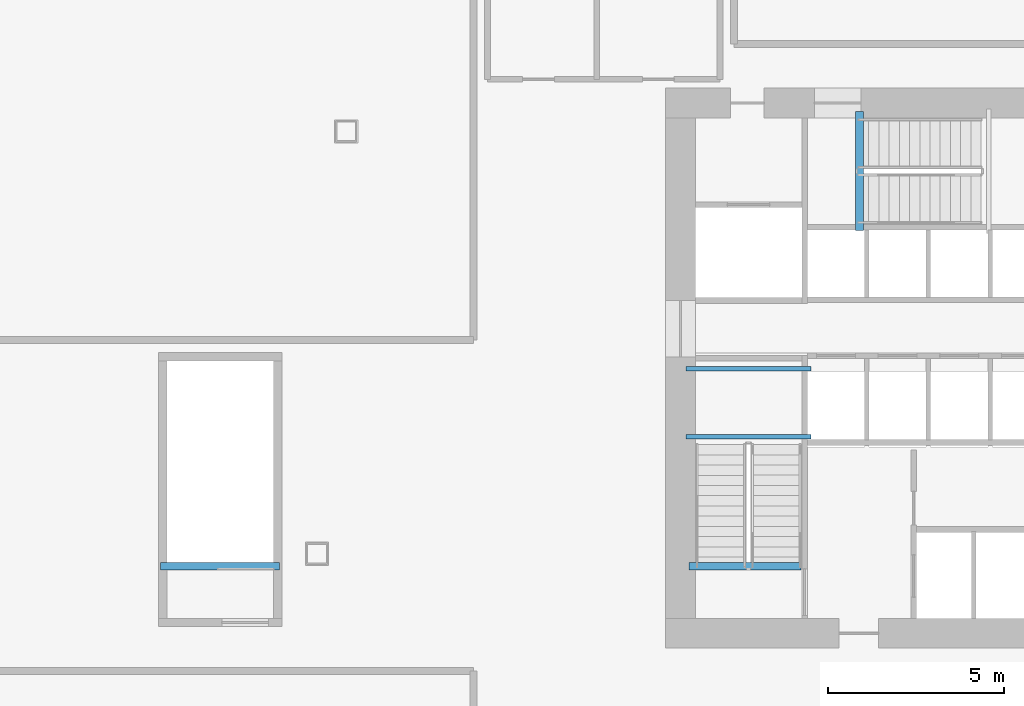
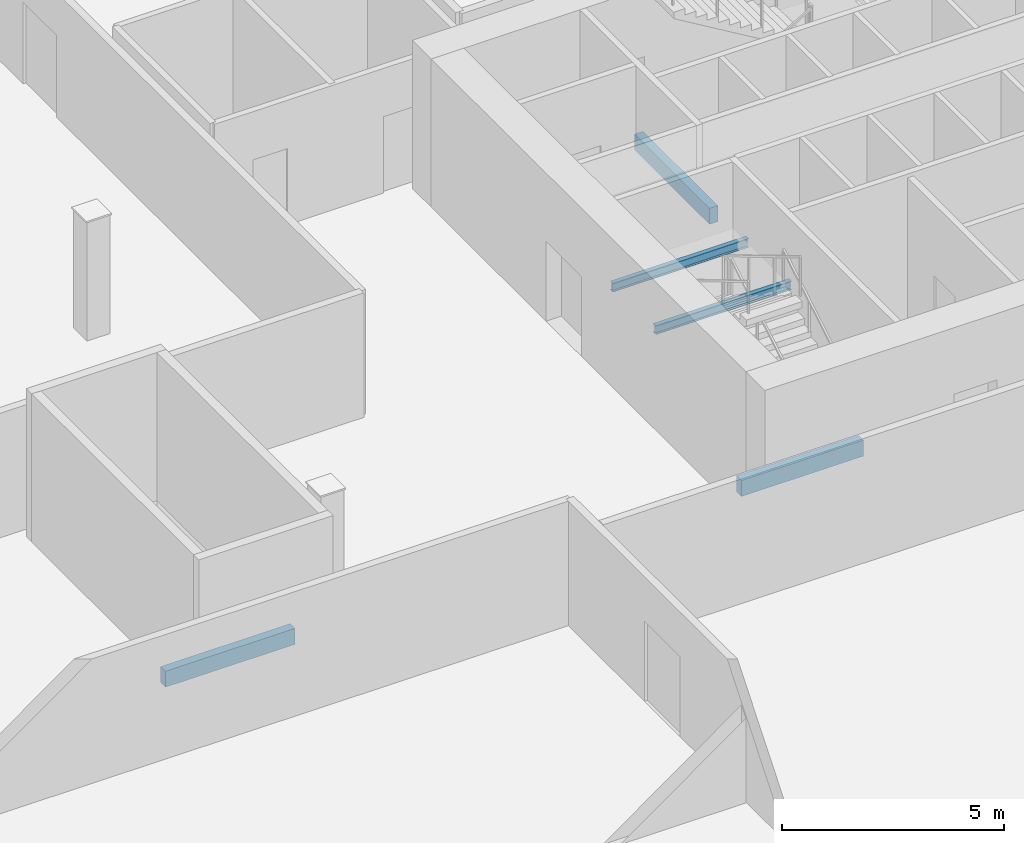
# One storey, part 3 of 16: 5 beams.
"""IFC4 building model written with IfcOpenShell, lengths in metres."""

from ifc_helpers import new_model, si_unit, direction, frame, origin, origin_2d, place, context, subcontext, project, spatial, rectangle, i_section, extrude, source, transform, mapped, material, material_profile, profile_set, type_object, element, save


model = new_model("IFC4")

# Units and contexts
model_context = context("Model", 3, precision=1e-05, world=origin(), true_north=direction((0.0, 1.0)))
body_context = subcontext(model_context, "Body", "Model", "MODEL_VIEW")
ifc_project = project(units=[si_unit("LENGTHUNIT", "METRE"), si_unit("AREAUNIT", "SQUARE_METRE"), si_unit("VOLUMEUNIT", "CUBIC_METRE"), si_unit("PLANEANGLEUNIT", "RADIAN"), si_unit("MASSUNIT", "GRAM", prefix="KILO")], contexts=[model_context])

# Site, building, storey
site_placement = place(None, origin())
site = spatial("IfcSite", under=ifc_project, at=site_placement, CompositionType="ELEMENT")
building_placement = place(site_placement, origin())
building = spatial("IfcBuilding", under=site, at=building_placement, Name="Olszyna Solenne Hotel", CompositionType="ELEMENT")
storey_placement = place(building_placement, frame((0.0, 0.0, 20.10009765625)))
storey = spatial("IfcBuildingStorey", under=building, at=storey_placement, Name="L04", CompositionType="ELEMENT", Elevation=20.10009765625)

# Beams
ifc_material_1 = material(Name="Steel S355J2", Category="steel")
ifc_material_profile_1 = material_profile(ifc_material_1, i_section(OverallWidth=0.1201171875, OverallDepth=0.239990234375, WebThickness=0.006103515625, FlangeThickness=0.009765625, at=origin_2d()), Name="IPE 240", Category="load-bearing")
ifc_profile_set_1 = profile_set([ifc_material_profile_1], Name="Steel S355J2")
beam_type_1 = type_object("IfcBeamType", Name="JS-03", PredefinedType="JOIST", material=ifc_profile_set_1)
shared_shape_1 = source(origin(), body_context, "Body", "SweptSolid", [
    extrude(i_section(OverallWidth=0.1201171875, OverallDepth=0.239990234375, WebThickness=0.006103515625, FlangeThickness=0.009765625, at=origin_2d()), origin(), (0.0, 0.0, 1.0), 3.539794921875),
])
for number, where, z_axis, x_axis, name in (
    (1, (33.3798828125, 24.64990234375, 1.9248046875), (-1.0, 0.0, 0.0), (0.0, -1.0, 0.0), "Stair landing support beam JS-03 SLB-ST1-0013"),
    (2, (33.3798828125, 26.580078125, 1.9248046875), (-1.0, 0.0, 0.0), (0.0, -1.0, 0.0), "Stair landing support beam JS-03 SLB-ST1-0014"),
):
    element("IfcBeam", number, at=place(storey_placement, frame(where, z_axis=z_axis, x_axis=x_axis)), inside=storey, type_object=beam_type_1, Name=name, PredefinedType="JOIST", context=body_context, shape_type="MappedRepresentation", body=[
        mapped(shared_shape_1, transform((0.0, 0.0, 0.0), x_axis=(1.0, 0.0, 0.0), y_axis=(0.0, 1.0, 0.0), z_axis=(0.0, 0.0, 1.0), scale=1.0)),
    ])
ifc_material_2 = material(Name="Concrete C50/60", Category="concrete")
ifc_material_profile_2 = material_profile(ifc_material_2, rectangle(XDim=0.219970703125, YDim=0.43994140625, at=origin_2d()), Name="RC 220x440", Category="load-bearing")
ifc_profile_set_2 = profile_set([ifc_material_profile_2], Name="Concrete C50/60")
beam_type_2 = type_object("IfcBeamType", Name="BM-ST1", PredefinedType="BEAM", material=ifc_profile_set_2)
shared_shape_2 = source(origin(), body_context, "Body", "SweptSolid", [
    extrude(rectangle(XDim=0.219970703125, YDim=0.43994140625, at=origin_2d()), origin(), (0.0, 0.0, 1.0), 3.18017578125),
])
beam_1_placement = place(storey_placement, frame((33.10009765625, 20.97998046875, -0.205078125), z_axis=(-1.0, 0.0, 0.0), x_axis=(0.0, -1.0, 0.0)))
element("IfcBeam", 3, at=beam_1_placement, inside=storey, type_object=beam_type_2, Name="Concrete stair trimmer beam BM-ST1 SHB-ST1-0166", PredefinedType="BEAM", context=body_context, shape_type="MappedRepresentation", body=[
    mapped(shared_shape_2, transform((0.0, 0.0, 0.0), x_axis=(1.0, 0.0, 0.0), y_axis=(0.0, 1.0, 0.0), z_axis=(0.0, 0.0, 1.0), scale=1.0)),
])
shared_shape_3 = source(origin(), body_context, "Body", "SweptSolid", [
    extrude(rectangle(XDim=0.219970703125, YDim=0.43994140625, at=origin_2d()), origin(), (0.0, 0.0, 1.0), 3.3798828125),
])
beam_2_placement = place(storey_placement, frame((34.760009765625, 30.5, -0.205078125), z_axis=(0.0, 1.0, 0.0), x_axis=(-1.0, 0.0, 0.0)))
element("IfcBeam", 4, at=beam_2_placement, inside=storey, type_object=beam_type_2, Name="Concrete stair trimmer beam BM-ST1 SHB-ST3-0644", PredefinedType="BEAM", context=body_context, shape_type="MappedRepresentation", body=[
    mapped(shared_shape_3, transform((0.0, 0.0, 0.0), x_axis=(1.0, 0.0, 0.0), y_axis=(0.0, 1.0, 0.0), z_axis=(0.0, 0.0, 1.0), scale=1.0)),
])
shared_shape_4 = source(origin(), body_context, "Body", "SweptSolid", [
    extrude(rectangle(XDim=0.219970703125, YDim=0.43994140625, at=origin_2d()), origin(), (0.0, 0.0, 1.0), 3.380126953125),
])
beam_3_placement = place(storey_placement, frame((18.300048828125, 20.97998046875, -0.205078125), z_axis=(-1.0, 0.0, 0.0), x_axis=(0.0, -1.0, 0.0)))
element("IfcBeam", 5, at=beam_3_placement, inside=storey, type_object=beam_type_2, Name="Concrete stair trimmer beam BM-ST1 SHB-ST4-0730", PredefinedType="BEAM", context=body_context, shape_type="MappedRepresentation", body=[
    mapped(shared_shape_4, transform((0.0, 0.0, 0.0), x_axis=(1.0, 0.0, 0.0), y_axis=(0.0, 1.0, 0.0), z_axis=(0.0, 0.0, 1.0), scale=1.0)),
])

save(model, "model.ifc")
